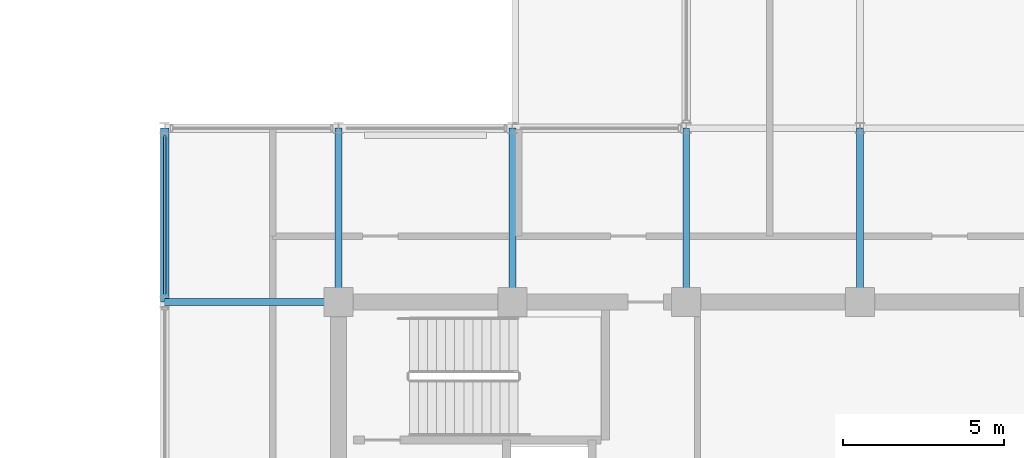
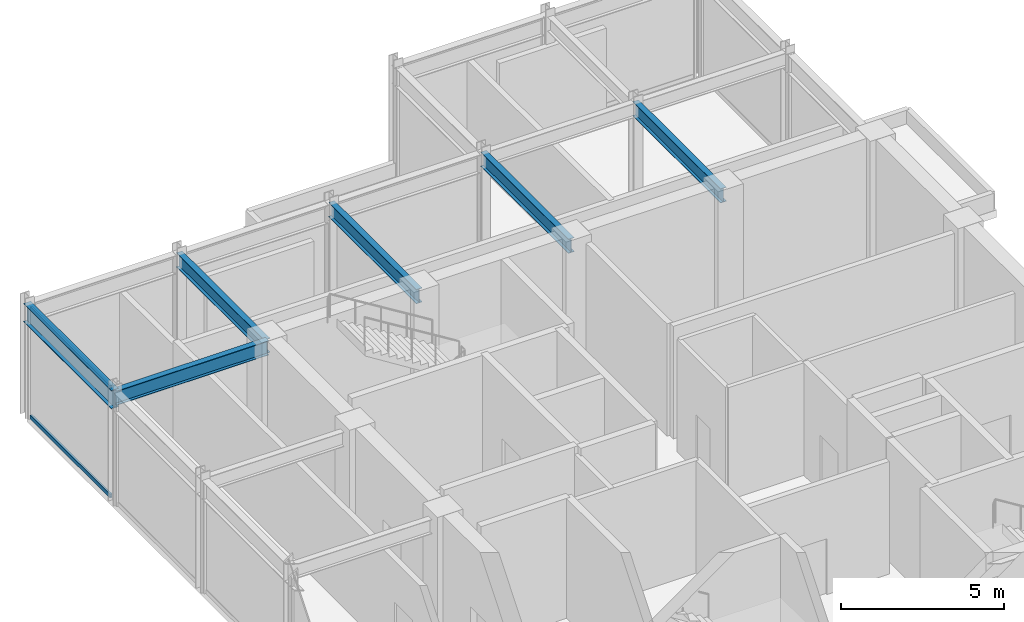
# One storey, part 7 of 18: 6 beams, 2 members, 1 element without a shape of its own.
"""IFC4 building model written with IfcOpenShell, lengths in metres."""

from ifc_helpers import new_model, si_unit, direction, frame, origin, origin_2d, place, context, subcontext, project, spatial, hollow_rectangle, i_section, extrude, material, layer, layer_set, material_profile, profile_set, type_object, element, aggregate, save


model = new_model("IFC4")

# Units and contexts
model_context = context("Model", 3, precision=1e-05, world=origin(), true_north=direction((0.0, 1.0)))
body_context = subcontext(model_context, "Body", "Model", "MODEL_VIEW")
ifc_project = project(units=[si_unit("LENGTHUNIT", "METRE"), si_unit("AREAUNIT", "SQUARE_METRE"), si_unit("VOLUMEUNIT", "CUBIC_METRE"), si_unit("PLANEANGLEUNIT", "RADIAN"), si_unit("MASSUNIT", "GRAM", prefix="KILO")], contexts=[model_context])

# Site, building, storey
site_placement = place(None, origin())
site = spatial("IfcSite", under=ifc_project, at=site_placement, CompositionType="ELEMENT")
building_placement = place(site_placement, origin())
building = spatial("IfcBuilding", under=site, at=building_placement, Name="Surkhivell Harbour Commons", CompositionType="ELEMENT")
storey_placement = place(building_placement, frame((0.0, 0.0, 351.0)))
storey = spatial("IfcBuildingStorey", under=building, at=storey_placement, Name="L91", CompositionType="ELEMENT", Elevation=351.0)

# Beams
ifc_material_1 = material(Name="Steel S355", Category="steel")
ifc_material_profile_1 = material_profile(ifc_material_1, i_section(OverallWidth=0.2099609375, OverallDepth=0.537109375, WebThickness=0.0107421875, FlangeThickness=0.017333984375, at=origin_2d()), Name="UB533x210x101")
ifc_profile_set_1 = profile_set([ifc_material_profile_1], Name="Steel S355")
beam_type_1 = type_object("IfcBeamType", Name="BM-GRD-533B", PredefinedType="BEAM", material=ifc_profile_set_1)
for number, where, z_axis, x_axis, name in (
    (1, (-16.199951171875, 10.800048828125, 3.951416015625), (1.0, 0.0, 0.0), (0.0, 1.0, 0.0), "L91 Floor Girder (-16.2,10.8)"),
    (2, (-10.800048828125, 10.800048828125, 3.951416015625), (0.0, 1.0, 0.0), (-1.0, 0.0, 0.0), "L91 Floor Girder (-10.8,10.8)"),
    (3, (-5.39990234375, 10.800048828125, 3.951416015625), (0.0, 1.0, 0.0), (-1.0, 0.0, 0.0), "L91 Floor Girder (-5.4,10.8)"),
    (4, (0.0, 10.800048828125, 3.951416015625), (0.0, 1.0, 0.0), (-1.0, 0.0, 0.0), "L91 Floor Girder (0.0,10.8)"),
    (5, (5.39990234375, 10.800048828125, 3.951416015625), (0.0, 1.0, 0.0), (-1.0, 0.0, 0.0), "L91 Floor Girder (5.4,10.8)"),
):
    element("IfcBeam", number, at=place(storey_placement, frame(where, z_axis=z_axis, x_axis=x_axis)), inside=storey, type_object=beam_type_1, Name=name, PredefinedType="BEAM", context=body_context, shape_type="SweptSolid", body=[
        extrude(i_section(OverallWidth=0.2099609375, OverallDepth=0.537109375, WebThickness=0.0107421875, FlangeThickness=0.017333984375, at=origin_2d()), origin(), (0.0, 0.0, 1.0), 5.39990234375),
    ])
ifc_material_profile_2 = material_profile(ifc_material_1, i_section(OverallWidth=0.256103515625, OverallDepth=0.693115234375, WebThickness=0.014404296875, FlangeThickness=0.023681640625, at=origin_2d()), Name="UB686x254x170")
ifc_profile_set_2 = profile_set([ifc_material_profile_2], Name="Steel S355")
beam_type_2 = type_object("IfcBeamType", Name="BM-SPN-686", PredefinedType="SPANDREL", material=ifc_profile_set_2)
beam_placement = place(storey_placement, frame((-16.199951171875, 10.800048828125, 3.87353515625), z_axis=(0.0, 1.0, 0.0), x_axis=(-1.0, 0.0, 0.0)))
element("IfcBeam", 6, at=beam_placement, inside=storey, type_object=beam_type_2, Name="L91 Tube Spandrel (-16.2,10.8)", PredefinedType="SPANDREL", context=body_context, shape_type="SweptSolid", body=[
    extrude(i_section(OverallWidth=0.256103515625, OverallDepth=0.693115234375, WebThickness=0.014404296875, FlangeThickness=0.023681640625, at=origin_2d()), origin(), (0.0, 0.0, 1.0), 5.39990234375),
])

# Curtain wall, members
ifc_material_2 = material(Name="Anodised pale-metal aluminium and insulated glazing", Category="aluminium")
ifc_layer = layer(ifc_material_2, 0.22998046875)
ifc_layer_set = layer_set([ifc_layer], Name="Anodised pale-metal aluminium and insulated glazing")
curtain_wall_type = type_object("IfcCurtainWallType", Name="CW-SYS-CRN", PredefinedType="NOTDEFINED", material=ifc_layer_set)
curtain_wall_placement = place(storey_placement, origin())
curtain_wall = element("IfcCurtainWall", 7, at=curtain_wall_placement, inside=storey, type_object=curtain_wall_type, Name="L91 Curtain Wall CW-L91-C04S1", PredefinedType="NOTDEFINED")
ifc_material_3 = material(Name="Anodised pale-metal aluminium alloy 6063-T6", Category="aluminium")
ifc_material_profile_3 = material_profile(ifc_material_3, hollow_rectangle(XDim=0.074951171875, YDim=0.14990234375, WallThickness=0.00341796875, at=origin_2d()), Name="ALU-TRAN-75x150")
ifc_profile_set_3 = profile_set([ifc_material_profile_3], Name="Anodised pale-metal aluminium alloy 6063-T6")
member_type = type_object("IfcMemberType", Name="CWT-150", PredefinedType="USERDEFINED", material=ifc_profile_set_3)
member_1_placement = place(storey_placement, frame((-16.199951171875, 15.952880859375, 0.074951171875), z_axis=(0.0, -1.0, 0.0), x_axis=(1.0, 0.0, 0.0)))
member_1 = element("IfcMember", 8, at=member_1_placement, type_object=member_type, Name="CW-CRN transom 1.1", ObjectType="TRANSOM", PredefinedType="USERDEFINED", context=body_context, shape_type="SweptSolid", body=[
    extrude(hollow_rectangle(XDim=0.074951171875, YDim=0.14990234375, WallThickness=0.00341796875, at=origin_2d()), origin(), (0.0, 0.0, 1.0), 4.90576171875),
])
member_2_placement = place(storey_placement, frame((-16.199951171875, 15.952880859375, 4.14501953125), z_axis=(0.0, -1.0, 0.0), x_axis=(1.0, 0.0, 0.0)))
member_2 = element("IfcMember", 9, at=member_2_placement, type_object=member_type, Name="CW-CRN transom 1.2", ObjectType="TRANSOM", PredefinedType="USERDEFINED", context=body_context, shape_type="SweptSolid", body=[
    extrude(hollow_rectangle(XDim=0.074951171875, YDim=0.14990234375, WallThickness=0.00341796875, at=origin_2d()), origin(), (0.0, 0.0, 1.0), 4.90576171875),
])
aggregate(curtain_wall, [member_1, member_2])

save(model, "model.ifc")
